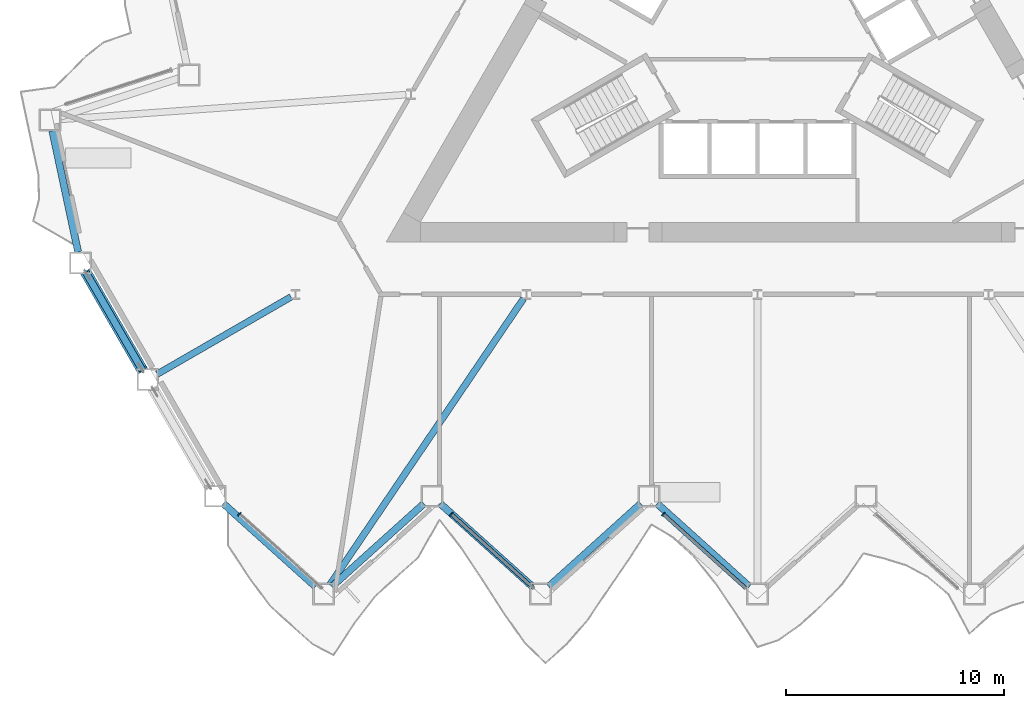
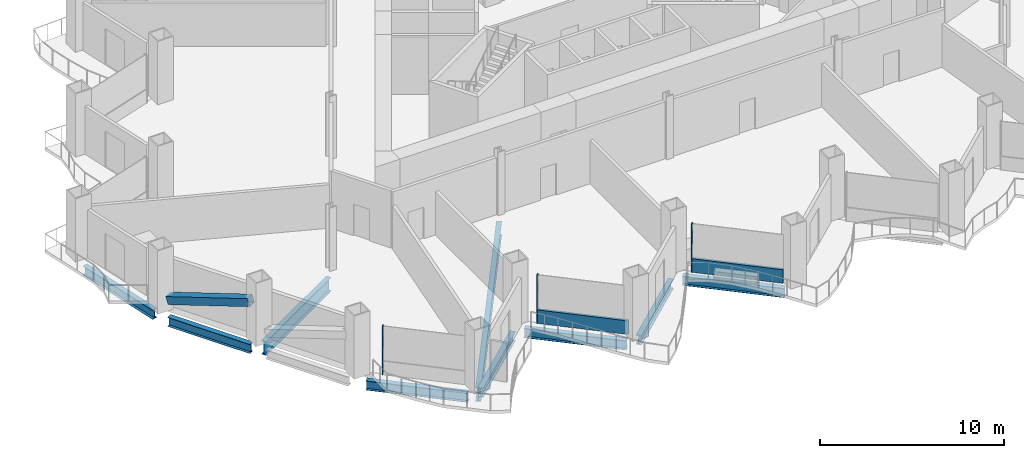
# One storey, part 2 of 21: 9 beams, 6 members, 3 elements without a shape of their own.
"""IFC4 building model written with IfcOpenShell, lengths in metres."""

from ifc_helpers import new_model, si_unit, direction, frame, origin, origin_2d, place, context, subcontext, project, spatial, rectangle, hollow_rectangle, i_section, extrude, material, layer, layer_set, material_profile, profile_set, type_object, element, aggregate, save


model = new_model("IFC4")

# Units and contexts
model_context = context("Model", 3, precision=1e-05, world=origin(), true_north=direction((0.0, 1.0)))
body_context = subcontext(model_context, "Body", "Model", "MODEL_VIEW")
ifc_project = project(units=[si_unit("LENGTHUNIT", "METRE"), si_unit("AREAUNIT", "SQUARE_METRE"), si_unit("VOLUMEUNIT", "CUBIC_METRE"), si_unit("PLANEANGLEUNIT", "RADIAN"), si_unit("MASSUNIT", "GRAM", prefix="KILO")], contexts=[model_context])

# Site, building, storey
site_placement = place(None, origin())
site = spatial("IfcSite", under=ifc_project, at=site_placement, CompositionType="ELEMENT")
building_placement = place(site_placement, origin())
building = spatial("IfcBuilding", under=site, at=building_placement, Name="Cormorant Prow Tower", CompositionType="ELEMENT")
storey_placement = place(building_placement, frame((0.0, 0.0, 46.800048828125)))
storey = spatial("IfcBuildingStorey", under=building, at=storey_placement, Name="L09", CompositionType="ELEMENT", Elevation=46.800048828125)

# Member
ifc_material_1 = material(Name="Structural steel ASTM A500 Gr C", Category="steel")
ifc_material_profile_1 = material_profile(ifc_material_1, hollow_rectangle(XDim=0.508056640625, YDim=0.508056640625, WallThickness=0.014892578125, at=origin_2d()), Name="HSS20x20x5/8")
ifc_profile_set_1 = profile_set([ifc_material_profile_1], Name="Structural steel ASTM A500 Gr C")
member_type_1 = type_object("IfcMemberType", Name="Chamfer brace HSS20x20x5/8", PredefinedType="BRACE", material=ifc_profile_set_1)
member_1_placement = place(storey_placement, frame((-30.74072265625, -11.222900390625, 0.76708984375), z_axis=(0.475875326044, -0.824258984489, 0.306822099191), x_axis=(0.866030326616, 0.499991473309, 0.0)))
element("IfcMember", 1, at=member_1_placement, inside=storey, type_object=member_type_1, Name="Chamfer brace BR1 at WSW00 L09", PredefinedType="BRACE", context=body_context, shape_type="SweptSolid", body=[
    extrude(hollow_rectangle(XDim=0.508056640625, YDim=0.508056640625, WallThickness=0.014892578125, at=origin_2d()), origin(), (0.0, 0.0, 1.0), 5.392578125),
])

# Curtain wall, member
ifc_material_2 = material(Name="Aluminium 6063-T6", Category="aluminium")
ifc_layer = layer(ifc_material_2, 0.199951171875)
ifc_layer_set = layer_set([ifc_layer], Name="Aluminium 6063-T6")
curtain_wall_type = type_object("IfcCurtainWallType", Name="Office unitised curtain wall 200", PredefinedType="NOTDEFINED", material=ifc_layer_set)
curtain_wall_1_placement = place(storey_placement, origin())
curtain_wall_1 = element("IfcCurtainWall", 2, at=curtain_wall_1_placement, inside=storey, type_object=curtain_wall_type, Name="Office curtain wall S00", PredefinedType="NOTDEFINED")
ifc_material_3 = material(Name="Aluminium 6063-T6", Category="aluminium")
ifc_material_profile_2 = material_profile(ifc_material_3, rectangle(XDim=0.199951171875, YDim=0.06005859375, at=origin_2d()), Name="Office mullion 60x200")
ifc_profile_set_2 = profile_set([ifc_material_profile_2], Name="Aluminium 6063-T6")
member_type_2 = type_object("IfcMemberType", Name="Office mullion 60x200", PredefinedType="MULLION", material=ifc_profile_set_2)
member_2_placement = place(storey_placement, frame((-23.718505859375, -22.27783203125, 0.0), z_axis=(0.0, 0.0, 1.0), x_axis=(0.66913057331, 0.743144855234, 0.0)))
member_2 = element("IfcMember", 3, at=member_2_placement, type_object=member_type_2, Name="Office mullion S00", PredefinedType="MULLION", context=body_context, shape_type="SweptSolid", body=[
    extrude(rectangle(XDim=0.199951171875, YDim=0.06005859375, at=origin_2d()), origin(), (0.0, 0.0, 1.0), 3.18896484375),
])
aggregate(curtain_wall_1, [member_2])

curtain_wall_2_placement = place(storey_placement, origin())
curtain_wall_2 = element("IfcCurtainWall", 4, at=curtain_wall_2_placement, inside=storey, type_object=curtain_wall_type, Name="Office curtain wall S02", PredefinedType="NOTDEFINED")
member_3_placement = place(storey_placement, frame((-14.01318359375, -22.27783203125, 0.0), z_axis=(0.0, 0.0, 1.0), x_axis=(0.66913057331, 0.743144855234, 0.0)))
member_3 = element("IfcMember", 5, at=member_3_placement, type_object=member_type_2, Name="Office mullion S02", PredefinedType="MULLION", context=body_context, shape_type="SweptSolid", body=[
    extrude(rectangle(XDim=0.199951171875, YDim=0.06005859375, at=origin_2d()), origin(), (0.0, 0.0, 1.0), 3.18896484375),
])

curtain_wall_3_placement = place(storey_placement, origin())
curtain_wall_3 = element("IfcCurtainWall", 6, at=curtain_wall_3_placement, inside=storey, type_object=curtain_wall_type, Name="Office curtain wall S04", PredefinedType="NOTDEFINED")
member_4_placement = place(storey_placement, frame((-4.307861328125, -22.27783203125, 0.0), z_axis=(0.0, 0.0, 1.0), x_axis=(0.66913057331, 0.743144855234, 0.0)))
member_4 = element("IfcMember", 7, at=member_4_placement, type_object=member_type_2, Name="Office mullion S04", PredefinedType="MULLION", context=body_context, shape_type="SweptSolid", body=[
    extrude(rectangle(XDim=0.199951171875, YDim=0.06005859375, at=origin_2d()), origin(), (0.0, 0.0, 1.0), 3.18896484375),
])

# Member
ifc_material_4 = material(Name="Terracotta", Category="masonry")
ifc_material_profile_3 = material_profile(ifc_material_4, rectangle(XDim=0.159912109375, YDim=0.89990234375, at=origin_2d()), Name="Office terracotta spandrel rail 160x900")
ifc_profile_set_3 = profile_set([ifc_material_profile_3], Name="Terracotta")
member_type_3 = type_object("IfcMemberType", Name="Office terracotta spandrel rail 160x900", PredefinedType="USERDEFINED", material=ifc_profile_set_3)
member_5_placement = place(storey_placement, frame((-13.990966796875, -22.2978515625, 0.449951171875), z_axis=(0.743140700473, -0.669135187612, 0.0), x_axis=(0.669135187612, 0.743140700473, 0.0)))
member_5 = element("IfcMember", 8, at=member_5_placement, type_object=member_type_3, Name="Office spandrel rail S02", ObjectType="TRANSOM", PredefinedType="USERDEFINED", context=body_context, shape_type="SweptSolid", body=[
    extrude(rectangle(XDim=0.159912109375, YDim=0.89990234375, at=origin_2d()), origin(), (0.0, 0.0, 1.0), 5.06396484375),
])

aggregate(curtain_wall_2, [member_3, member_5])

member_6_placement = place(storey_placement, frame((-4.28564453125, -22.2978515625, 0.449951171875), z_axis=(0.743140700473, -0.669135187612, 0.0), x_axis=(0.669135187612, 0.743140700473, 0.0)))
member_6 = element("IfcMember", 9, at=member_6_placement, type_object=member_type_3, Name="Office spandrel rail S04", ObjectType="TRANSOM", PredefinedType="USERDEFINED", context=body_context, shape_type="SweptSolid", body=[
    extrude(rectangle(XDim=0.159912109375, YDim=0.89990234375, at=origin_2d()), origin(), (0.0, 0.0, 1.0), 5.06396484375),
])

aggregate(curtain_wall_3, [member_4, member_6])

# Beams
ifc_material_5 = material(Name="Structural steel ASTM A992 Gr 50", Category="steel")
ifc_material_profile_4 = material_profile(ifc_material_5, i_section(OverallWidth=0.3046875, OverallDepth=0.914794921875, WebThickness=0.0166015625, FlangeThickness=0.02587890625, at=origin_2d()), Name="W36x160")
ifc_profile_set_4 = profile_set([ifc_material_profile_4], Name="Structural steel ASTM A992 Gr 50")
beam_type_1 = type_object("IfcBeamType", Name="Radial floor beam W36x160", PredefinedType="BEAM", material=ifc_profile_set_4)
beam_1_placement = place(storey_placement, frame((-21.358154296875, -12.3310546875, -0.857421875), z_axis=(-0.866014253463, -0.500019312426, 0.0), x_axis=(0.500019312426, -0.866014253463, 0.0)))
element("IfcBeam", 10, at=beam_1_placement, inside=storey, type_object=beam_type_1, Name="Radial floor beam FB1 5 L09", PredefinedType="BEAM", context=body_context, shape_type="SweptSolid", body=[
    extrude(i_section(OverallWidth=0.3046875, OverallDepth=0.914794921875, WebThickness=0.0166015625, FlangeThickness=0.02587890625, at=origin_2d()), origin(), (0.0, 0.0, 1.0), 7.071533203125),
])
beam_2_placement = place(storey_placement, frame((-10.708740234375, -12.4072265625, -0.857421875), z_axis=(-0.560597160775, -0.828088656685, 0.0), x_axis=(0.828088656685, -0.560597160775, 0.0)))
element("IfcBeam", 11, at=beam_2_placement, inside=storey, type_object=beam_type_1, Name="Radial floor beam FB1 6 L09", PredefinedType="BEAM", context=body_context, shape_type="SweptSolid", body=[
    extrude(i_section(OverallWidth=0.3046875, OverallDepth=0.914794921875, WebThickness=0.0166015625, FlangeThickness=0.02587890625, at=origin_2d()), origin(), (0.0, 0.0, 1.0), 15.831787109375),
])
ifc_material_6 = material(Name="Structural steel ASTM A992 Gr 50", Category="steel")
ifc_material_profile_5 = material_profile(ifc_material_6, i_section(OverallWidth=0.32373046875, OverallDepth=0.611083984375, WebThickness=0.0126953125, FlangeThickness=0.01904296875, at=origin_2d()), Name="W24x104")
ifc_profile_set_5 = profile_set([ifc_material_profile_5], Name="Structural steel ASTM A992 Gr 50")
beam_type_2 = type_object("IfcBeamType", Name="Spandrel beam W24x104", PredefinedType="SPANDREL", material=ifc_profile_set_5)
for number, where, z_axis, x_axis, name in (
    (12, (-24.458740234375, -21.79443359375, -0.70556640625), (0.743129630386, -0.669147481833, 0.0), (0.669147481833, 0.743129630386, 0.0), "Spandrel beam SB1 S00-S01 L09"),
    (13, (-19.49267578125, -25.596923828125, -0.70556640625), (0.743129630386, 0.669147481833, 0.0), (-0.669147481833, 0.743129630386, 0.0), "Spandrel beam SB1 S01-S02 L09"),
    (14, (-14.526611328125, -21.79443359375, -0.70556640625), (0.743129630386, -0.669147481833, 0.0), (0.669147481833, 0.743129630386, 0.0), "Spandrel beam SB1 S02-S03 L09"),
    (15, (-9.560546875, -25.596923828125, -0.70556640625), (0.743129630386, 0.669147481833, 0.0), (-0.669147481833, 0.743129630386, 0.0), "Spandrel beam SB1 S03-S04 L09"),
    (16, (-4.594482421875, -21.79443359375, -0.70556640625), (0.743129630386, -0.669147481833, 0.0), (0.669147481833, 0.743129630386, 0.0), "Spandrel beam SB1 S04-S05 L09"),
    (17, (-32.285400390625, -4.726318359375, -0.70556640625), (0.207900376723, -0.97815000555, 0.0), (0.97815000555, 0.207900376723, 0.0), "Spandrel beam SB1 WNW09-WSW00 L09"),
):
    element("IfcBeam", number, at=place(storey_placement, frame(where, z_axis=z_axis, x_axis=x_axis)), inside=storey, type_object=beam_type_2, Name=name, PredefinedType="SPANDREL", context=body_context, shape_type="SweptSolid", body=[
        extrude(i_section(OverallWidth=0.32373046875, OverallDepth=0.611083984375, WebThickness=0.0126953125, FlangeThickness=0.01904296875, at=origin_2d()), origin(), (0.0, 0.0, 1.0), 5.6826171875),
    ])
beam_3_placement = place(storey_placement, frame((-30.75, -11.206787109375, -0.70556640625), z_axis=(0.49998408811, -0.866034590324, 0.0), x_axis=(0.866034590324, 0.49998408811, 0.0)))
element("IfcBeam", 18, at=beam_3_placement, inside=storey, type_object=beam_type_2, Name="Spandrel beam SB1 WSW00-WSW01 L09", PredefinedType="SPANDREL", context=body_context, shape_type="SweptSolid", body=[
    extrude(i_section(OverallWidth=0.32373046875, OverallDepth=0.611083984375, WebThickness=0.0126953125, FlangeThickness=0.01904296875, at=origin_2d()), origin(), (0.0, 0.0, 1.0), 5.169677734375),
])

save(model, "model.ifc")
